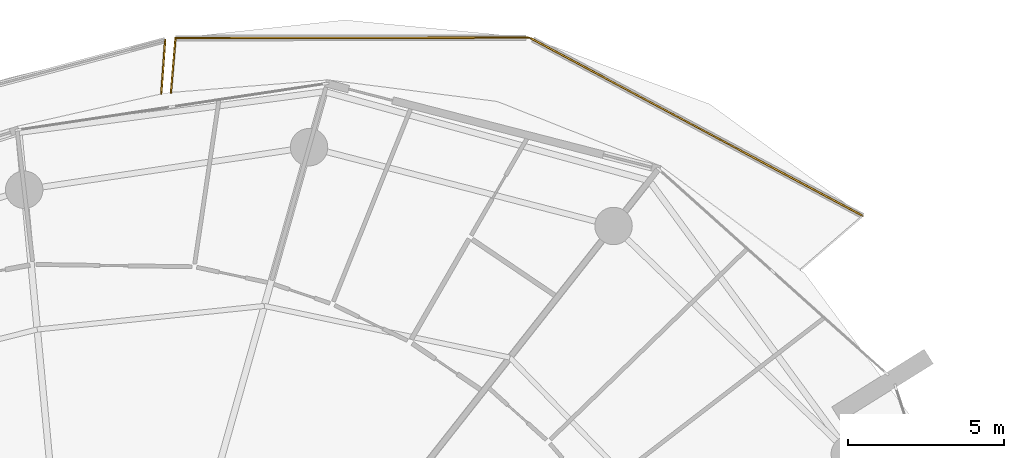
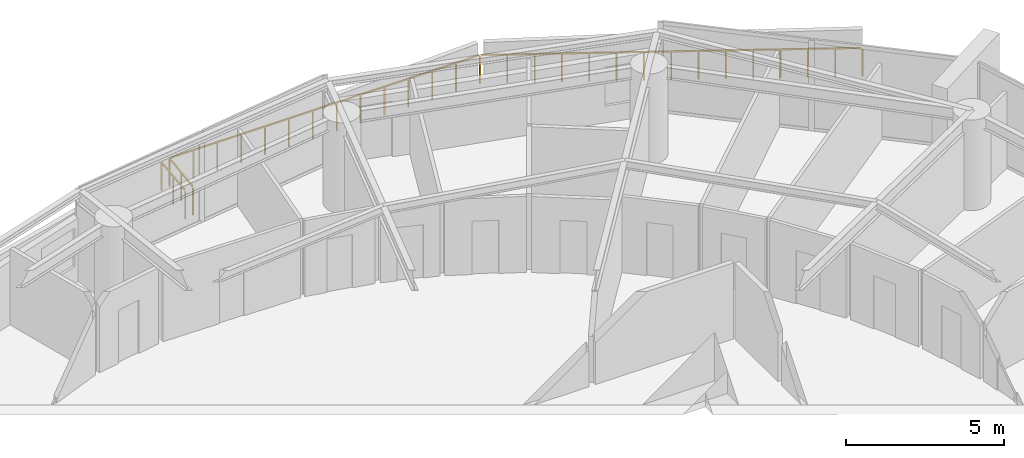
# One storey, part 23 of 23: 4 railings.
"""IFC4 building model written with IfcOpenShell, lengths in metres."""

from ifc_helpers import new_model, si_unit, direction, frame, origin, origin_2d, place, context, subcontext, project, spatial, rectangle, extrude, material, type_object, element, save


model = new_model("IFC4")

# Units and contexts
model_context = context("Model", 3, precision=1e-05, world=origin(), true_north=direction((0.0, 1.0)))
body_context = subcontext(model_context, "Body", "Model", "MODEL_VIEW")
ifc_project = project(units=[si_unit("LENGTHUNIT", "METRE"), si_unit("AREAUNIT", "SQUARE_METRE"), si_unit("VOLUMEUNIT", "CUBIC_METRE"), si_unit("PLANEANGLEUNIT", "RADIAN"), si_unit("MASSUNIT", "GRAM", prefix="KILO")], contexts=[model_context])

# Site, building, storey
site_placement = place(None, origin())
site = spatial("IfcSite", under=ifc_project, at=site_placement, CompositionType="ELEMENT")
building_placement = place(site_placement, origin())
building = spatial("IfcBuilding", under=site, at=building_placement, Name="Kazma Halo Residences", CompositionType="ELEMENT")
storey_placement = place(building_placement, frame((0.0, 0.0, 105.14990234375)))
storey = spatial("IfcBuildingStorey", under=building, at=storey_placement, Name="L26", CompositionType="ELEMENT", Elevation=105.14990234375)

# Railings
ifc_material = material(Name="Aluminium AW-6063 T6 Brushed Cap Rail", Category="aluminium")
railing_type = type_object("IfcRailingType", Name="RLG-BAL-CAP-1120", PredefinedType="BALUSTRADE", material=ifc_material)
railing_1_placement = place(storey_placement, frame((72.32080078125, 63.0302734375, 0.0)))
element("IfcRailing", 1, at=railing_1_placement, inside=storey, type_object=railing_type, Name="L26 NE wave balcony guard 2", PredefinedType="BALUSTRADE", context=body_context, shape_type="SweptSolid", body=[
    extrude(rectangle(XDim=0.050048828125, YDim=0.050048828125, at=origin_2d()), frame((-0.03759765625, 0.02001953125, 1.09521484375), z_axis=(-0.881760296775, 0.471697762377, 0.0), x_axis=(-0.471697762377, -0.881760296775, 0.0)), (0.0, 0.0, 1.0), 12.039794921875),
    extrude(rectangle(XDim=0.0400390625, YDim=0.0400390625, at=origin_2d()), origin(), (0.0, 0.0, 1.0), 1.05810546875),
    extrude(rectangle(XDim=0.0400390625, YDim=0.0400390625, at=origin_2d()), frame((-0.763671875, 0.408447265625, 0.0)), (0.0, 0.0, 1.0), 1.05810546875),
    extrude(rectangle(XDim=0.0400390625, YDim=0.0400390625, at=origin_2d()), frame((-1.52734375, 0.817138671875, 0.0)), (0.0, 0.0, 1.0), 1.05810546875),
    extrude(rectangle(XDim=0.0400390625, YDim=0.0400390625, at=origin_2d()), frame((-2.291015625, 1.2255859375, 0.0)), (0.0, 0.0, 1.0), 1.05810546875),
    extrude(rectangle(XDim=0.0400390625, YDim=0.0400390625, at=origin_2d()), frame((-3.0546875, 1.634033203125, 0.0)), (0.0, 0.0, 1.0), 1.05810546875),
    extrude(rectangle(XDim=0.0400390625, YDim=0.0400390625, at=origin_2d()), frame((-3.818359375, 2.04248046875, 0.0)), (0.0, 0.0, 1.0), 1.05810546875),
    extrude(rectangle(XDim=0.0400390625, YDim=0.0400390625, at=origin_2d()), frame((-4.58203125, 2.451171875, 0.0)), (0.0, 0.0, 1.0), 1.05810546875),
    extrude(rectangle(XDim=0.0400390625, YDim=0.0400390625, at=origin_2d()), frame((-5.345703125, 2.859619140625, 0.0)), (0.0, 0.0, 1.0), 1.05810546875),
    extrude(rectangle(XDim=0.0400390625, YDim=0.0400390625, at=origin_2d()), frame((-6.109130859375, 3.26806640625, 0.0)), (0.0, 0.0, 1.0), 1.05810546875),
    extrude(rectangle(XDim=0.0400390625, YDim=0.0400390625, at=origin_2d()), frame((-6.872802734375, 3.6767578125, 0.0)), (0.0, 0.0, 1.0), 1.05810546875),
    extrude(rectangle(XDim=0.0400390625, YDim=0.0400390625, at=origin_2d()), frame((-7.636474609375, 4.085205078125, 0.0)), (0.0, 0.0, 1.0), 1.05810546875),
    extrude(rectangle(XDim=0.0400390625, YDim=0.0400390625, at=origin_2d()), frame((-8.400146484375, 4.49365234375, 0.0)), (0.0, 0.0, 1.0), 1.05810546875),
    extrude(rectangle(XDim=0.0400390625, YDim=0.0400390625, at=origin_2d()), frame((-9.163818359375, 4.902099609375, 0.0)), (0.0, 0.0, 1.0), 1.05810546875),
    extrude(rectangle(XDim=0.0400390625, YDim=0.0400390625, at=origin_2d()), frame((-9.927490234375, 5.310791015625, 0.0)), (0.0, 0.0, 1.0), 1.05810546875),
    extrude(rectangle(XDim=0.0400390625, YDim=0.0400390625, at=origin_2d()), frame((-10.691162109375, 5.71923828125, 0.0)), (0.0, 0.0, 1.0), 1.05810546875),
])
railing_2_placement = place(storey_placement, frame((61.629638671875, 68.74951171875, 0.0)))
element("IfcRailing", 2, at=railing_2_placement, inside=storey, type_object=railing_type, Name="L26 NE wave balcony guard 3", PredefinedType="BALUSTRADE", context=body_context, shape_type="SweptSolid", body=[
    extrude(rectangle(XDim=0.050048828125, YDim=0.050048828125, at=origin_2d()), frame((-0.04248046875, 0.0, 1.09521484375), z_axis=(-0.999999196263, -0.00126786188, 0.0), x_axis=(0.00126786188, -0.999999196263, 0.0)), (0.0, 0.0, 1.0), 11.276123046875),
    extrude(rectangle(XDim=0.0400390625, YDim=0.0400390625, at=origin_2d()), origin(), (0.0, 0.0, 1.0), 1.05810546875),
    extrude(rectangle(XDim=0.0400390625, YDim=0.0400390625, at=origin_2d()), frame((-0.8740234375, -0.001220703125, 0.0)), (0.0, 0.0, 1.0), 1.05810546875),
    extrude(rectangle(XDim=0.0400390625, YDim=0.0400390625, at=origin_2d()), frame((-1.747802734375, -0.002197265625, 0.0)), (0.0, 0.0, 1.0), 1.05810546875),
    extrude(rectangle(XDim=0.0400390625, YDim=0.0400390625, at=origin_2d()), frame((-2.621826171875, -0.00341796875, 0.0)), (0.0, 0.0, 1.0), 1.05810546875),
    extrude(rectangle(XDim=0.0400390625, YDim=0.0400390625, at=origin_2d()), frame((-3.49560546875, -0.00439453125, 0.0)), (0.0, 0.0, 1.0), 1.05810546875),
    extrude(rectangle(XDim=0.0400390625, YDim=0.0400390625, at=origin_2d()), frame((-4.36962890625, -0.005615234375, 0.0)), (0.0, 0.0, 1.0), 1.05810546875),
    extrude(rectangle(XDim=0.0400390625, YDim=0.0400390625, at=origin_2d()), frame((-5.24365234375, -0.006591796875, 0.0)), (0.0, 0.0, 1.0), 1.05810546875),
    extrude(rectangle(XDim=0.0400390625, YDim=0.0400390625, at=origin_2d()), frame((-6.117431640625, -0.0078125, 0.0)), (0.0, 0.0, 1.0), 1.05810546875),
    extrude(rectangle(XDim=0.0400390625, YDim=0.0400390625, at=origin_2d()), frame((-6.991455078125, -0.0087890625, 0.0)), (0.0, 0.0, 1.0), 1.05810546875),
    extrude(rectangle(XDim=0.0400390625, YDim=0.0400390625, at=origin_2d()), frame((-7.865478515625, -0.010009765625, 0.0)), (0.0, 0.0, 1.0), 1.05810546875),
    extrude(rectangle(XDim=0.0400390625, YDim=0.0400390625, at=origin_2d()), frame((-8.7392578125, -0.010986328125, 0.0)), (0.0, 0.0, 1.0), 1.05810546875),
    extrude(rectangle(XDim=0.0400390625, YDim=0.0400390625, at=origin_2d()), frame((-9.61328125, -0.01220703125, 0.0)), (0.0, 0.0, 1.0), 1.05810546875),
    extrude(rectangle(XDim=0.0400390625, YDim=0.0400390625, at=origin_2d()), frame((-10.487060546875, -0.01318359375, 0.0)), (0.0, 0.0, 1.0), 1.05810546875),
    extrude(rectangle(XDim=0.0400390625, YDim=0.0400390625, at=origin_2d()), frame((-11.361083984375, -0.014404296875, 0.0)), (0.0, 0.0, 1.0), 1.05810546875),
])
railing_3_placement = place(storey_placement, frame((50.2685546875, 68.735107421875, 0.0)))
element("IfcRailing", 3, at=railing_3_placement, inside=storey, type_object=railing_type, Name="L26 NE wave balcony guard 4", PredefinedType="BALUSTRADE", context=body_context, shape_type="SweptSolid", body=[
    extrude(rectangle(XDim=0.050048828125, YDim=0.050048828125, at=origin_2d()), frame((-0.003662109375, -0.04248046875, 1.09521484375), z_axis=(-0.084593419007, -0.996415552599, 0.0), x_axis=(0.996415552599, -0.084593419007, 0.0)), (0.0, 0.0, 1.0), 1.663818359375),
    extrude(rectangle(XDim=0.0400390625, YDim=0.0400390625, at=origin_2d()), origin(), (0.0, 0.0, 1.0), 1.05810546875),
    extrude(rectangle(XDim=0.0400390625, YDim=0.0400390625, at=origin_2d()), frame((-0.073974609375, -0.871337890625, 0.0)), (0.0, 0.0, 1.0), 1.05810546875),
    extrude(rectangle(XDim=0.0400390625, YDim=0.0400390625, at=origin_2d()), frame((-0.14794921875, -1.74267578125, 0.0)), (0.0, 0.0, 1.0), 1.05810546875),
])
railing_4_placement = place(storey_placement, frame((49.81005859375, 66.94580078125, 0.0)))
element("IfcRailing", 4, at=railing_4_placement, inside=storey, type_object=railing_type, Name="L26 NNW wave balcony guard 1", PredefinedType="BALUSTRADE", context=body_context, shape_type="SweptSolid", body=[
    extrude(rectangle(XDim=0.050048828125, YDim=0.050048828125, at=origin_2d()), frame((0.003173828125, 0.04248046875, 1.09521484375), z_axis=(0.072359669561, 0.99737860325, 0.0), x_axis=(-0.99737860325, 0.072359669561, 0.0)), (0.0, 0.0, 1.0), 1.645751953125),
    extrude(rectangle(XDim=0.0400390625, YDim=0.0400390625, at=origin_2d()), origin(), (0.0, 0.0, 1.0), 1.05810546875),
    extrude(rectangle(XDim=0.0400390625, YDim=0.0400390625, at=origin_2d()), frame((0.0625, 0.86328125, 0.0)), (0.0, 0.0, 1.0), 1.05810546875),
    extrude(rectangle(XDim=0.0400390625, YDim=0.0400390625, at=origin_2d()), frame((0.125244140625, 1.726318359375, 0.0)), (0.0, 0.0, 1.0), 1.05810546875),
])

save(model, "model.ifc")
